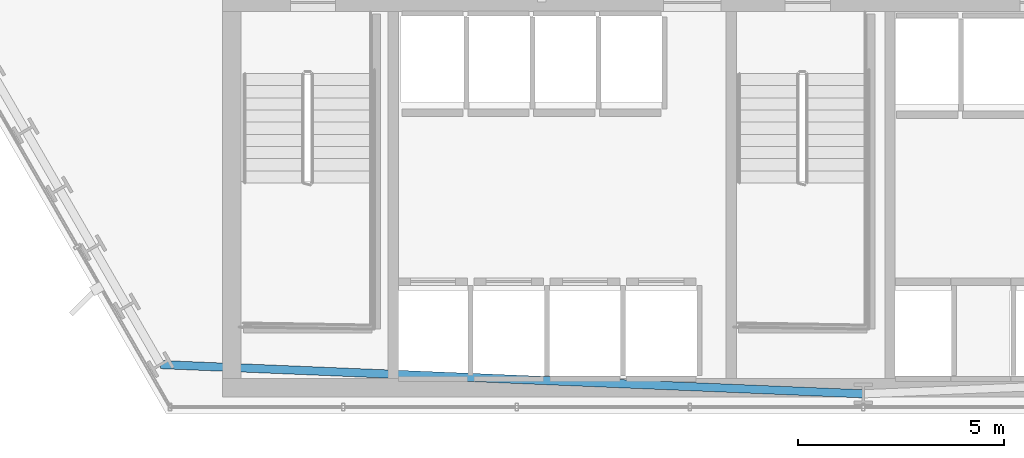
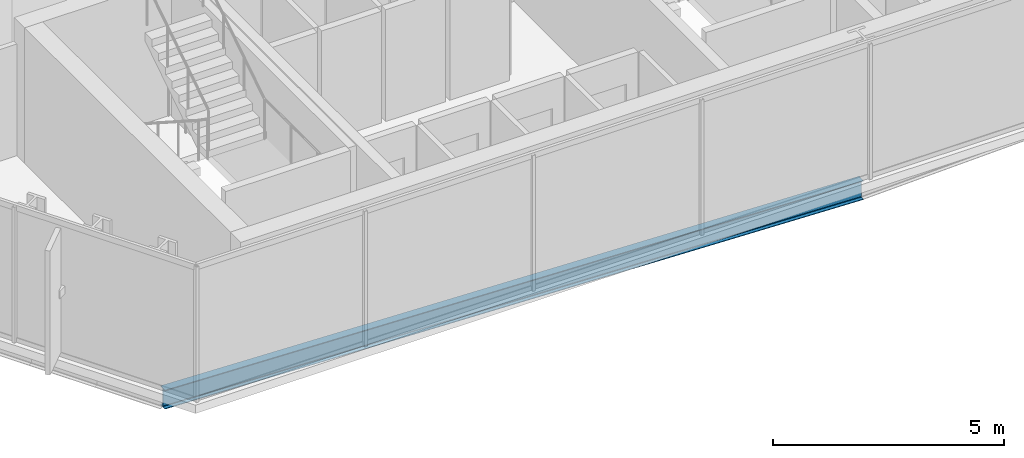
# One storey, part 3 of 31: 1 beam.
"""IFC4 building model written with IfcOpenShell, lengths in metres."""

from ifc_helpers import new_model, si_unit, direction, frame, origin, origin_2d, place, context, subcontext, project, spatial, i_section, extrude, material, material_profile, profile_set, type_object, element, save


model = new_model("IFC4")

# Units and contexts
model_context = context("Model", 3, precision=1e-05, world=origin(), true_north=direction((0.0, 1.0)))
body_context = subcontext(model_context, "Body", "Model", "MODEL_VIEW")
ifc_project = project(units=[si_unit("LENGTHUNIT", "METRE"), si_unit("AREAUNIT", "SQUARE_METRE"), si_unit("VOLUMEUNIT", "CUBIC_METRE"), si_unit("PLANEANGLEUNIT", "RADIAN"), si_unit("MASSUNIT", "GRAM", prefix="KILO")], contexts=[model_context])

# Site, building, storey
site_placement = place(None, origin())
site = spatial("IfcSite", under=ifc_project, at=site_placement, CompositionType="ELEMENT")
building_placement = place(site_placement, origin())
building = spatial("IfcBuilding", under=site, at=building_placement, Name="Ndaravel Arena Tower", CompositionType="ELEMENT")
storey_placement = place(building_placement, frame((0.0, 0.0, 104.39990234375)))
storey = spatial("IfcBuildingStorey", under=building, at=storey_placement, Name="L24", CompositionType="ELEMENT", Elevation=104.39990234375)

# Beam
ifc_material = material(Name="Steel S355", Category="steel")
ifc_material_profile = material_profile(ifc_material, i_section(OverallWidth=0.199951171875, OverallDepth=0.5, WebThickness=0.01025390625, FlangeThickness=0.01611328125, FilletRadius=0.02099609375, at=origin_2d()), Name="IPE 500")
ifc_profile_set = profile_set([ifc_material_profile], Name="Steel S355")
beam_type = type_object("IfcBeamType", Name="BM-SPAN-IPE500", PredefinedType="SPANDREL", material=ifc_profile_set)
beam_placement = place(storey_placement, frame((24.95703125, 6.189697265625, -0.469970703125), z_axis=(0.999134065017, -0.041606731707, 0.0), x_axis=(0.041606731707, 0.999134065017, 0.0)))
element("IfcBeam", 1, at=beam_placement, inside=storey, type_object=beam_type, Name="L24 Perimeter Spandrel Beam SP-27", PredefinedType="SPANDREL", context=body_context, shape_type="SweptSolid", body=[
    extrude(i_section(OverallWidth=0.199951171875, OverallDepth=0.5, WebThickness=0.01025390625, FlangeThickness=0.01611328125, FilletRadius=0.02099609375, at=origin_2d()), origin(), (0.0, 0.0, 1.0), 17.057861328125),
])

save(model, "model.ifc")
